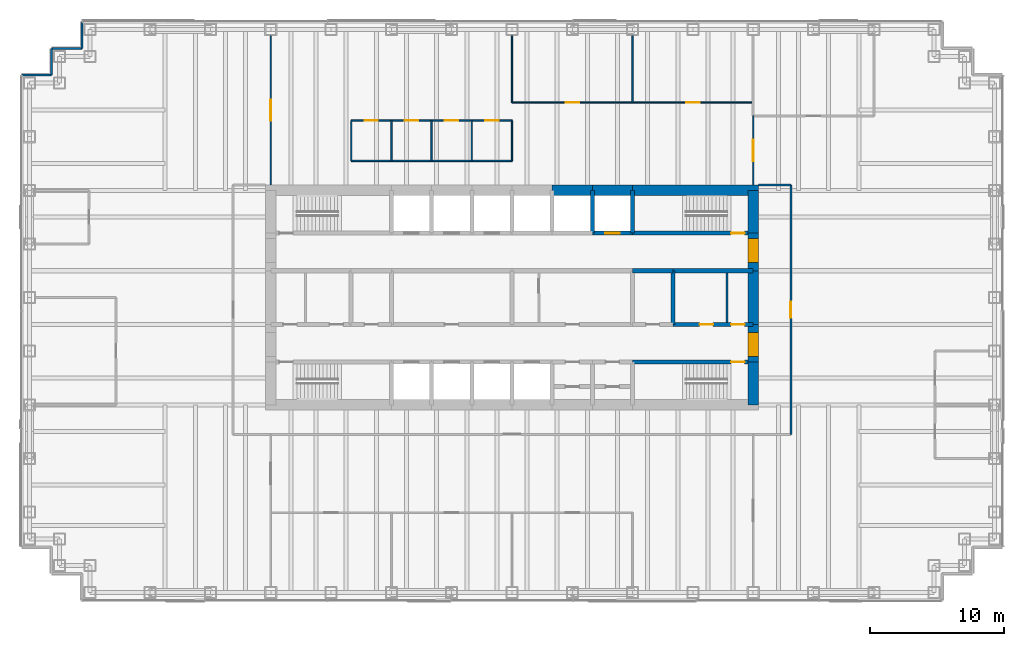
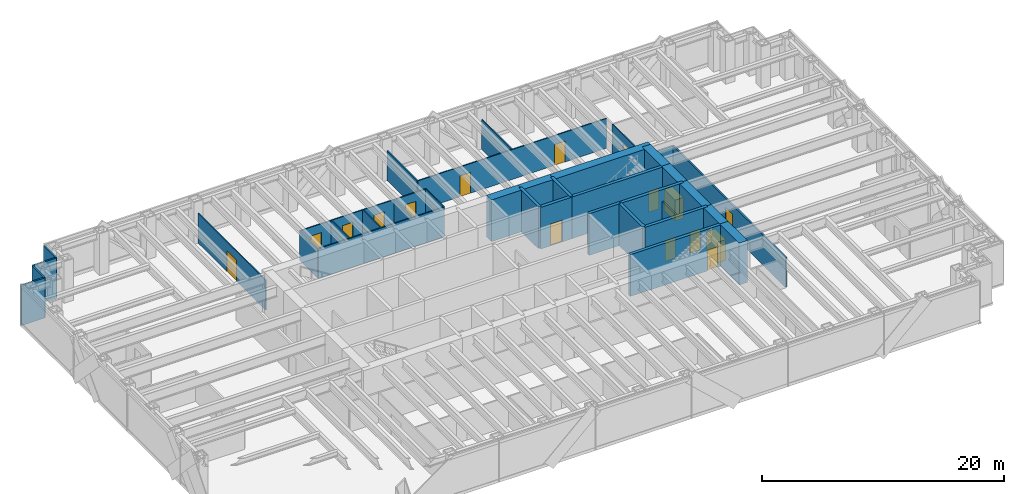
# One storey, part 17 of 19: 36 walls, 16 doors, 16 openings.
"""IFC4 building model written with IfcOpenShell, lengths in metres."""

from ifc_helpers import new_model, si_unit, direction, frame, frame_2d, origin, place, context, subcontext, project, spatial, rectangle, extrude, material, layer, layer_set, type_object, element, fill, save


model = new_model("IFC4")

# Units and contexts
model_context = context("Model", 3, precision=1e-05, world=origin(), true_north=direction((0.0, 1.0)))
body_context = subcontext(model_context, "Body", "Model", "MODEL_VIEW")
ifc_project = project(units=[si_unit("LENGTHUNIT", "METRE"), si_unit("AREAUNIT", "SQUARE_METRE"), si_unit("VOLUMEUNIT", "CUBIC_METRE"), si_unit("PLANEANGLEUNIT", "RADIAN"), si_unit("MASSUNIT", "GRAM", prefix="KILO")], contexts=[model_context])

# Site, building, storey
site_placement = place(None, origin())
site = spatial("IfcSite", under=ifc_project, at=site_placement, CompositionType="ELEMENT")
building_placement = place(site_placement, origin())
building = spatial("IfcBuilding", under=site, at=building_placement, Name="Rheinbord Bourse Tower", CompositionType="ELEMENT")
storey_placement = place(building_placement, frame((0.0, 0.0, 206.800048828125)))
storey = spatial("IfcBuildingStorey", under=building, at=storey_placement, Name="L46", CompositionType="ELEMENT", Elevation=206.800048828125)

# Wall, opening, door
ifc_material_1 = material(Name="Concrete C50/60", Category="concrete")
ifc_layer_1 = layer(ifc_material_1, 0.300048828125)
ifc_layer_set_1 = layer_set([ifc_layer_1], Name="CORE INNER WALL 300")
wall_type_1 = type_object("IfcWallType", Name="CORE INNER WALL 300", PredefinedType="SOLIDWALL", material=ifc_layer_set_1)
wall_1_placement = place(storey_placement, frame((45.0, 19.199951171875, 0.0), z_axis=(0.0, 0.0, 1.0), x_axis=(1.0, 0.0, 0.0)))
wall_1 = element("IfcWall", 1, at=wall_1_placement, inside=storey, type_object=wall_type_1, Name="Core wall A8 L46", PredefinedType="SOLIDWALL", context=body_context, shape_type="SweptSolid", body=[
    extrude(rectangle(XDim=9.0, YDim=0.300048828125, at=frame_2d((4.5, 0.0))), origin(), (0.0, 0.0, 1.0), 4.199951171875),
])
opening_1_placement = place(wall_1_placement, frame((7.35009765625, 0.0, 0.0)))
opening_1 = element("IfcOpeningElement", 2, at=opening_1_placement, cuts=wall_1, Name="Opening 4630", PredefinedType="OPENING", context=body_context, shape_type="SweptSolid", body=[
    extrude(rectangle(XDim=1.0, YDim=2.10009765625, at=frame_2d((0.5, 1.050048828125))), frame((0.0, 0.159912109375, 0.0), z_axis=(0.0, -1.0, 0.0), x_axis=(1.0, 0.0, 0.0)), (0.0, 0.0, 1.0), 0.320068359375),
])
ifc_material_2 = material(Name="Steel door", Category="steel")
door_type_1 = type_object("IfcDoorType", Name="DOOR 1000 EI30", OperationType="SINGLE_SWING_LEFT", PredefinedType="DOOR", material=ifc_material_2)
door_1_placement = place(opening_1_placement, origin())
door_1 = element("IfcDoor", 3, at=door_1_placement, inside=storey, type_object=door_type_1, Name="Stair door ST3 L46", OperationType="SINGLE_SWING_RIGHT", OverallHeight=2.10009765625, OverallWidth=1.0, PredefinedType="DOOR", context=body_context, shape_type="SweptSolid", body=[
    extrude(rectangle(XDim=1.0, YDim=2.10009765625, at=frame_2d((0.5, 1.050048828125))), frame((0.0, 0.02490234375, 0.0), z_axis=(0.0, -1.0, 0.0), x_axis=(1.0, 0.0, 0.0)), (0.0, 0.0, 1.0), 0.050048828125),
])
fill(opening_1, door_1)

wall_2_placement = place(storey_placement, frame((42.0, 28.800048828125, 0.0), z_axis=(0.0, 0.0, 1.0), x_axis=(1.0, 0.0, 0.0)))
wall_2 = element("IfcWall", 4, at=wall_2_placement, inside=storey, type_object=wall_type_1, Name="Core wall B7 L46", PredefinedType="SOLIDWALL", context=body_context, shape_type="SweptSolid", body=[
    extrude(rectangle(XDim=3.0, YDim=0.300048828125, at=frame_2d((1.5, 0.0))), origin(), (0.0, 0.0, 1.0), 4.199951171875),
])
opening_2_placement = place(wall_2_placement, frame((0.949951171875, 0.0, 0.0)))
opening_2 = element("IfcOpeningElement", 5, at=opening_2_placement, cuts=wall_2, Name="Opening FL2", PredefinedType="OPENING", context=body_context, shape_type="SweptSolid", body=[
    extrude(rectangle(XDim=1.10009765625, YDim=2.199951171875, at=frame_2d((0.550048828125, 1.10009765625))), frame((0.0, 0.159912109375, 0.0), z_axis=(0.0, -1.0, 0.0), x_axis=(1.0, 0.0, 0.0)), (0.0, 0.0, 1.0), 0.320068359375),
])
ifc_material_3 = material(Name="Steel landing door", Category="steel")
door_type_2 = type_object("IfcDoorType", Name="LIFT LANDING DOOR 1100", OperationType="DOUBLE_DOOR_SLIDING", PredefinedType="USERDEFINED", material=ifc_material_3)
door_2_placement = place(opening_2_placement, origin())
door_2 = element("IfcDoor", 6, at=door_2_placement, inside=storey, type_object=door_type_2, Name="Lift landing door FL2 L46", ObjectType="LIFT LANDING DOOR", OperationType="DOUBLE_DOOR_SLIDING", OverallHeight=2.199951171875, OverallWidth=1.10009765625, PredefinedType="USERDEFINED", context=body_context, shape_type="SweptSolid", body=[
    extrude(rectangle(XDim=1.10009765625, YDim=2.199951171875, at=frame_2d((0.550048828125, 1.10009765625))), frame((0.0, 0.02490234375, 0.0), z_axis=(0.0, -1.0, 0.0), x_axis=(1.0, 0.0, 0.0)), (0.0, 0.0, 1.0), 0.050048828125),
])
fill(opening_2, door_2)

wall_3_placement = place(storey_placement, frame((45.0, 28.800048828125, 0.0), z_axis=(0.0, 0.0, 1.0), x_axis=(1.0, 0.0, 0.0)))
wall_3 = element("IfcWall", 7, at=wall_3_placement, inside=storey, type_object=wall_type_1, Name="Core wall B8 L46", PredefinedType="SOLIDWALL", context=body_context, shape_type="SweptSolid", body=[
    extrude(rectangle(XDim=9.0, YDim=0.300048828125, at=frame_2d((4.5, 0.0))), origin(), (0.0, 0.0, 1.0), 4.199951171875),
])
opening_3_placement = place(wall_3_placement, frame((7.35009765625, 0.0, 0.0)))
opening_3 = element("IfcOpeningElement", 8, at=opening_3_placement, cuts=wall_3, Name="Opening 4640", PredefinedType="OPENING", context=body_context, shape_type="SweptSolid", body=[
    extrude(rectangle(XDim=1.0, YDim=2.10009765625, at=frame_2d((0.5, 1.050048828125))), frame((0.0, 0.159912109375, 0.0), z_axis=(0.0, -1.0, 0.0), x_axis=(1.0, 0.0, 0.0)), (0.0, 0.0, 1.0), 0.320068359375),
])
door_3_placement = place(opening_3_placement, origin())
door_3 = element("IfcDoor", 9, at=door_3_placement, inside=storey, type_object=door_type_1, Name="Stair door ST4 L46", OperationType="SINGLE_SWING_RIGHT", OverallHeight=2.10009765625, OverallWidth=1.0, PredefinedType="DOOR", context=body_context, shape_type="SweptSolid", body=[
    extrude(rectangle(XDim=1.0, YDim=2.10009765625, at=frame_2d((0.5, 1.050048828125))), frame((0.0, 0.02490234375, 0.0), z_axis=(0.0, -1.0, 0.0), x_axis=(1.0, 0.0, 0.0)), (0.0, 0.0, 1.0), 0.050048828125),
])
fill(opening_3, door_3)

# Wall, openings, doors
wall_4_placement = place(storey_placement, frame((48.0, 22.0, 0.0), z_axis=(0.0, 0.0, 1.0), x_axis=(1.0, 0.0, 0.0)))
wall_4 = element("IfcWall", 10, at=wall_4_placement, inside=storey, type_object=wall_type_1, Name="Core wall C6 L46", PredefinedType="SOLIDWALL", context=body_context, shape_type="SweptSolid", body=[
    extrude(rectangle(XDim=6.0, YDim=0.300048828125, at=frame_2d((3.0, 0.0))), origin(), (0.0, 0.0, 1.0), 4.199951171875),
])
opening_4_placement = place(wall_4_placement, frame((2.0, 0.0, 0.0)))
opening_4 = element("IfcOpeningElement", 11, at=opening_4_placement, cuts=wall_4, Name="Opening 46R6", PredefinedType="OPENING", context=body_context, shape_type="SweptSolid", body=[
    extrude(rectangle(XDim=1.0, YDim=2.10009765625, at=frame_2d((0.5, 1.050048828125))), frame((0.0, 0.159912109375, 0.0), z_axis=(0.0, -1.0, 0.0), x_axis=(1.0, 0.0, 0.0)), (0.0, 0.0, 1.0), 0.320068359375),
])
opening_5_placement = place(wall_4_placement, frame((4.35009765625, 0.0, 0.0)))
opening_5 = element("IfcOpeningElement", 12, at=opening_5_placement, cuts=wall_4, Name="Opening 46R10", PredefinedType="OPENING", context=body_context, shape_type="SweptSolid", body=[
    extrude(rectangle(XDim=1.0, YDim=2.10009765625, at=frame_2d((0.5, 1.050048828125))), frame((0.0, 0.159912109375, 0.0), z_axis=(0.0, -1.0, 0.0), x_axis=(1.0, 0.0, 0.0)), (0.0, 0.0, 1.0), 0.320068359375),
])
door_4_placement = place(opening_5_placement, origin())
door_4 = element("IfcDoor", 13, at=door_4_placement, inside=storey, type_object=door_type_1, Name="Cleaner's store door L46", OperationType="SINGLE_SWING_RIGHT", OverallHeight=2.10009765625, OverallWidth=1.0, PredefinedType="DOOR", context=body_context, shape_type="SweptSolid", body=[
    extrude(rectangle(XDim=1.0, YDim=2.10009765625, at=frame_2d((0.5, 1.050048828125))), frame((0.0, 0.02490234375, 0.0), z_axis=(0.0, -1.0, 0.0), x_axis=(1.0, 0.0, 0.0)), (0.0, 0.0, 1.0), 0.050048828125),
])
fill(opening_5, door_4)
ifc_material_4 = material(Name="Timber door", Category="wood")
door_type_3 = type_object("IfcDoorType", Name="DOOR 1000 WC", OperationType="SINGLE_SWING_LEFT", PredefinedType="DOOR", material=ifc_material_4)
door_5_placement = place(opening_4_placement, origin())
door_5 = element("IfcDoor", 14, at=door_5_placement, inside=storey, type_object=door_type_3, Name="WC women door L46", OperationType="SINGLE_SWING_LEFT", OverallHeight=2.10009765625, OverallWidth=1.0, PredefinedType="DOOR", context=body_context, shape_type="SweptSolid", body=[
    extrude(rectangle(XDim=1.0, YDim=2.10009765625, at=frame_2d((0.5, 1.050048828125))), frame((0.0, 0.02490234375, 0.0), z_axis=(0.0, -1.0, 0.0), x_axis=(1.0, 0.0, 0.0)), (0.0, 0.0, 1.0), 0.050048828125),
])
fill(opening_4, door_5)

# Walls
wall_5_placement = place(storey_placement, frame((45.0, 26.0, 0.0), z_axis=(0.0, 0.0, 1.0), x_axis=(1.0, 0.0, 0.0)))
element("IfcWall", 15, at=wall_5_placement, inside=storey, type_object=wall_type_1, Name="Core wall D5 L46", PredefinedType="SOLIDWALL", context=body_context, shape_type="SweptSolid", body=[
    extrude(rectangle(XDim=3.0, YDim=0.300048828125, at=frame_2d((1.5, 0.0))), origin(), (0.0, 0.0, 1.0), 4.199951171875),
])
wall_6_placement = place(storey_placement, frame((48.0, 26.0, 0.0), z_axis=(0.0, 0.0, 1.0), x_axis=(1.0, 0.0, 0.0)))
element("IfcWall", 16, at=wall_6_placement, inside=storey, type_object=wall_type_1, Name="Core wall D6 L46", PredefinedType="SOLIDWALL", context=body_context, shape_type="SweptSolid", body=[
    extrude(rectangle(XDim=6.0, YDim=0.300048828125, at=frame_2d((3.0, 0.0))), origin(), (0.0, 0.0, 1.0), 4.199951171875),
])
for number, where, z_axis, x_axis, name in (
    (17, (42.0, 28.800048828125, 0.0), (0.0, 0.0, 1.0), (0.0, 1.0, 0.0), "Core wall NX42 L46"),
    (18, (45.0, 28.800048828125, 0.0), (0.0, 0.0, 1.0), (0.0, 1.0, 0.0), "Core wall NX45 L46"),
):
    element("IfcWall", number, at=place(storey_placement, frame(where, z_axis=z_axis, x_axis=x_axis)), inside=storey, type_object=wall_type_1, Name=name, PredefinedType="SOLIDWALL", context=body_context, shape_type="SweptSolid", body=[
        extrude(rectangle(XDim=3.199951171875, YDim=0.300048828125, at=frame_2d((1.60009765625, 0.0))), origin(), (0.0, 0.0, 1.0), 4.199951171875),
    ])
wall_7_placement = place(storey_placement, frame((48.0, 22.0, 0.0), z_axis=(0.0, 0.0, 1.0), x_axis=(0.0, 1.0, 0.0)))
element("IfcWall", 19, at=wall_7_placement, inside=storey, type_object=wall_type_1, Name="Core wall MX48 L46", PredefinedType="SOLIDWALL", context=body_context, shape_type="SweptSolid", body=[
    extrude(rectangle(XDim=4.0, YDim=0.300048828125, at=frame_2d((2.0, 0.0))), origin(), (0.0, 0.0, 1.0), 4.199951171875),
])
ifc_material_5 = material(Name="Gypsum board fire partition", Category="gypsum board")
ifc_layer_2 = layer(ifc_material_5, 0.14990234375)
ifc_layer_set_2 = layer_set([ifc_layer_2], Name="CORE PARTITION 150 EI30")
wall_type_2 = type_object("IfcWallType", Name="CORE PARTITION 150 EI30", PredefinedType="PARTITIONING", material=ifc_layer_set_2)
wall_8_placement = place(storey_placement, frame((52.02490234375, 22.14990234375, 0.0), z_axis=(0.0, 0.0, 1.0), x_axis=(0.0, 1.0, 0.0)))
element("IfcWall", 20, at=wall_8_placement, inside=storey, type_object=wall_type_2, Name="Core partition L46-3", PredefinedType="PARTITIONING", context=body_context, shape_type="SweptSolid", body=[
    extrude(rectangle(XDim=3.7001953125, YDim=0.14990234375, at=frame_2d((1.85009765625, 0.0))), origin(), (0.0, 0.0, 1.0), 3.0),
])
ifc_material_6 = material(Name="Concrete C50/60", Category="concrete")
ifc_layer_3 = layer(ifc_material_6, 0.800048828125)
ifc_layer_set_3 = layer_set([ifc_layer_3], Name="CORE WALL 800")
wall_type_3 = type_object("IfcWallType", Name="CORE WALL 800", PredefinedType="SHEAR", material=ifc_layer_set_3)
wall_9_placement = place(storey_placement, frame((54.39990234375, 32.0, 0.0), z_axis=(0.0, 0.0, 1.0), x_axis=(-1.0, 0.0, 0.0)))
element("IfcWall", 21, at=wall_9_placement, inside=storey, type_object=wall_type_3, Name="Core wall N1 L46", PredefinedType="SHEAR", context=body_context, shape_type="SweptSolid", body=[
    extrude(rectangle(XDim=9.39990234375, YDim=0.800048828125, at=frame_2d((4.699951171875, 0.0))), origin(), (0.0, 0.0, 1.0), 4.199951171875),
])
for number, where, z_axis, x_axis, name in (
    (22, (45.0, 32.0, 0.0), (0.0, 0.0, 1.0), (-1.0, 0.0, 0.0), "Core wall N2 L46"),
    (23, (42.0, 32.0, 0.0), (0.0, 0.0, 1.0), (-1.0, 0.0, 0.0), "Core wall N3 L46"),
):
    element("IfcWall", number, at=place(storey_placement, frame(where, z_axis=z_axis, x_axis=x_axis)), inside=storey, type_object=wall_type_3, Name=name, PredefinedType="SHEAR", context=body_context, shape_type="SweptSolid", body=[
        extrude(rectangle(XDim=3.0, YDim=0.800048828125, at=frame_2d((1.5, 0.0))), origin(), (0.0, 0.0, 1.0), 4.199951171875),
    ])
wall_10_placement = place(storey_placement, frame((54.0, 16.0, 0.0), z_axis=(0.0, 0.0, 1.0), x_axis=(0.0, 1.0, 0.0)))
element("IfcWall", 24, at=wall_10_placement, inside=storey, type_object=wall_type_3, Name="Core wall E1 L46", PredefinedType="SHEAR", context=body_context, shape_type="SweptSolid", body=[
    extrude(rectangle(XDim=3.199951171875, YDim=0.800048828125, at=frame_2d((1.60009765625, 0.0))), origin(), (0.0, 0.0, 1.0), 4.199951171875),
])

# Wall, opening, door
wall_11_placement = place(storey_placement, frame((54.0, 19.199951171875, 0.0), z_axis=(0.0, 0.0, 1.0), x_axis=(0.0, 1.0, 0.0)))
wall_11 = element("IfcWall", 25, at=wall_11_placement, inside=storey, type_object=wall_type_3, Name="Core wall E2 L46", PredefinedType="SHEAR", context=body_context, shape_type="SweptSolid", body=[
    extrude(rectangle(XDim=2.800048828125, YDim=0.800048828125, at=frame_2d((1.39990234375, 0.0))), origin(), (0.0, 0.0, 1.0), 4.199951171875),
])
opening_6_placement = place(wall_11_placement, frame((0.39990234375, 0.0, 0.0)))
opening_6 = element("IfcOpeningElement", 26, at=opening_6_placement, cuts=wall_11, Name="Opening 46L3", PredefinedType="OPENING", context=body_context, shape_type="SweptSolid", body=[
    extrude(rectangle(XDim=1.800048828125, YDim=2.10009765625, at=frame_2d((0.89990234375, 1.050048828125))), frame((0.0, 0.409912109375, 0.0), z_axis=(0.0, -1.0, 0.0), x_axis=(1.0, 0.0, 0.0)), (0.0, 0.0, 1.0), 0.820068359375),
])
ifc_material_7 = material(Name="Steel door", Category="steel")
door_type_4 = type_object("IfcDoorType", Name="DOOR 1800 EI30 DOUBLE", OperationType="DOUBLE_DOOR_DOUBLE_SWING", PredefinedType="DOOR", material=ifc_material_7)
door_6_placement = place(opening_6_placement, origin())
door_6 = element("IfcDoor", 27, at=door_6_placement, inside=storey, type_object=door_type_4, Name="Lobby door 3 L46", OperationType="SINGLE_SWING_LEFT", OverallHeight=2.10009765625, OverallWidth=1.800048828125, PredefinedType="DOOR", context=body_context, shape_type="SweptSolid", body=[
    extrude(rectangle(XDim=1.800048828125, YDim=2.10009765625, at=frame_2d((0.89990234375, 1.050048828125))), frame((0.0, 0.39990234375, 0.0), z_axis=(0.0, -1.0, 0.0), x_axis=(1.0, 0.0, 0.0)), (0.0, 0.0, 1.0), 0.799560546875),
])
fill(opening_6, door_6)

# Wall
wall_12_placement = place(storey_placement, frame((54.0, 22.0, 0.0), z_axis=(0.0, 0.0, 1.0), x_axis=(0.0, 1.0, 0.0)))
element("IfcWall", 28, at=wall_12_placement, inside=storey, type_object=wall_type_3, Name="Core wall E3 L46", PredefinedType="SHEAR", context=body_context, shape_type="SweptSolid", body=[
    extrude(rectangle(XDim=4.0, YDim=0.800048828125, at=frame_2d((2.0, 0.0))), origin(), (0.0, 0.0, 1.0), 4.199951171875),
])

# Wall, opening, door
wall_13_placement = place(storey_placement, frame((54.0, 26.0, 0.0), z_axis=(0.0, 0.0, 1.0), x_axis=(0.0, 1.0, 0.0)))
wall_13 = element("IfcWall", 29, at=wall_13_placement, inside=storey, type_object=wall_type_3, Name="Core wall E4 L46", PredefinedType="SHEAR", context=body_context, shape_type="SweptSolid", body=[
    extrude(rectangle(XDim=2.800048828125, YDim=0.800048828125, at=frame_2d((1.39990234375, 0.0))), origin(), (0.0, 0.0, 1.0), 4.199951171875),
])
opening_7_placement = place(wall_13_placement, frame((0.60009765625, 0.0, 0.0)))
opening_7 = element("IfcOpeningElement", 30, at=opening_7_placement, cuts=wall_13, Name="Opening 46L4", PredefinedType="OPENING", context=body_context, shape_type="SweptSolid", body=[
    extrude(rectangle(XDim=1.800048828125, YDim=2.10009765625, at=frame_2d((0.89990234375, 1.050048828125))), frame((0.0, 0.409912109375, 0.0), z_axis=(0.0, -1.0, 0.0), x_axis=(1.0, 0.0, 0.0)), (0.0, 0.0, 1.0), 0.820068359375),
])
door_7_placement = place(opening_7_placement, origin())
door_7 = element("IfcDoor", 31, at=door_7_placement, inside=storey, type_object=door_type_4, Name="Lobby door 4 L46", OperationType="SINGLE_SWING_LEFT", OverallHeight=2.10009765625, OverallWidth=1.800048828125, PredefinedType="DOOR", context=body_context, shape_type="SweptSolid", body=[
    extrude(rectangle(XDim=1.800048828125, YDim=2.10009765625, at=frame_2d((0.89990234375, 1.050048828125))), frame((0.0, 0.39990234375, 0.0), z_axis=(0.0, -1.0, 0.0), x_axis=(1.0, 0.0, 0.0)), (0.0, 0.0, 1.0), 0.799560546875),
])
fill(opening_7, door_7)

# Walls
wall_14_placement = place(storey_placement, frame((54.0, 28.800048828125, 0.0), z_axis=(0.0, 0.0, 1.0), x_axis=(0.0, 1.0, 0.0)))
element("IfcWall", 32, at=wall_14_placement, inside=storey, type_object=wall_type_3, Name="Core wall E5 L46", PredefinedType="SHEAR", context=body_context, shape_type="SweptSolid", body=[
    extrude(rectangle(XDim=3.199951171875, YDim=0.800048828125, at=frame_2d((1.60009765625, 0.0))), origin(), (0.0, 0.0, 1.0), 4.199951171875),
])
ifc_material_8 = material(Name="Black metal rainscreen panel", Category="aluminium")
ifc_layer_4 = layer(ifc_material_8, 0.14990234375)
ifc_layer_set_4 = layer_set([ifc_layer_4], Name="CORNER PIER CLADDING 150")
wall_type_4 = type_object("IfcWallType", Name="CORNER PIER CLADDING 150", PredefinedType="ELEMENTEDWALL", material=ifc_layer_set_4)
wall_15_placement = place(storey_placement, frame((3.89990234375, 44.60009765625, 0.0), z_axis=(0.0, 0.0, 1.0), x_axis=(0.0, -1.0, 0.0)))
element("IfcWall", 33, at=wall_15_placement, inside=storey, type_object=wall_type_4, Name="Corner pier cladding L46 12", PredefinedType="ELEMENTEDWALL", context=body_context, shape_type="SweptSolid", body=[
    extrude(rectangle(XDim=2.0, YDim=0.14990234375, at=frame_2d((1.0, 0.0))), origin(), (0.0, 0.0, 1.0), 4.0400390625),
])
wall_16_placement = place(storey_placement, frame((3.89990234375, 42.60009765625, 0.0), z_axis=(0.0, 0.0, 1.0), x_axis=(-1.0, 0.0, 0.0)))
element("IfcWall", 34, at=wall_16_placement, inside=storey, type_object=wall_type_4, Name="Corner pier cladding L46 13", PredefinedType="ELEMENTEDWALL", context=body_context, shape_type="SweptSolid", body=[
    extrude(rectangle(XDim=2.25, YDim=0.14990234375, at=frame_2d((1.125, 0.0))), origin(), (0.0, 0.0, 1.0), 4.0400390625),
])
wall_17_placement = place(storey_placement, frame((1.64990234375, 42.60009765625, 0.0), z_axis=(0.0, 0.0, 1.0), x_axis=(0.0, -1.0, 0.0)))
element("IfcWall", 35, at=wall_17_placement, inside=storey, type_object=wall_type_4, Name="Corner pier cladding L46 14", PredefinedType="ELEMENTEDWALL", context=body_context, shape_type="SweptSolid", body=[
    extrude(rectangle(XDim=2.0, YDim=0.14990234375, at=frame_2d((1.0, 0.0))), origin(), (0.0, 0.0, 1.0), 4.0400390625),
])
wall_18_placement = place(storey_placement, frame((1.64990234375, 40.60009765625, 0.0), z_axis=(0.0, 0.0, 1.0), x_axis=(-1.0, 0.0, 0.0)))
element("IfcWall", 36, at=wall_18_placement, inside=storey, type_object=wall_type_4, Name="Corner pier cladding L46 15", PredefinedType="ELEMENTEDWALL", context=body_context, shape_type="SweptSolid", body=[
    extrude(rectangle(XDim=2.25, YDim=0.14990234375, at=frame_2d((1.125, 0.0))), origin(), (0.0, 0.0, 1.0), 4.0400390625),
])
ifc_material_9 = material(Name="Gypsum board corridor partition", Category="gypsum board")
ifc_layer_5 = layer(ifc_material_9, 0.14990234375)
ifc_layer_set_5 = layer_set([ifc_layer_5], Name="CORRIDOR PARTITION 150 EI30")
wall_type_5 = type_object("IfcWallType", Name="CORRIDOR PARTITION 150 EI30", PredefinedType="PARTITIONING", material=ifc_layer_set_5)
wall_19_placement = place(storey_placement, frame((54.39990234375, 32.39990234375, 0.0), z_axis=(0.0, 0.0, 1.0), x_axis=(1.0, 0.0, 0.0)))
element("IfcWall", 37, at=wall_19_placement, inside=storey, type_object=wall_type_5, Name="Partition L46-11", PredefinedType="PARTITIONING", context=body_context, shape_type="SweptSolid", body=[
    extrude(rectangle(XDim=2.400146484375, YDim=0.14990234375, at=frame_2d((1.2001953125, 0.0))), origin(), (0.0, 0.0, 1.0), 3.0),
])

# Wall, opening, door
wall_20_placement = place(storey_placement, frame((56.800048828125, 13.800048828125, 0.0), z_axis=(0.0, 0.0, 1.0), x_axis=(0.0, 1.0, 0.0)))
wall_20 = element("IfcWall", 38, at=wall_20_placement, inside=storey, type_object=wall_type_5, Name="Partition L46-34", PredefinedType="PARTITIONING", context=body_context, shape_type="SweptSolid", body=[
    extrude(rectangle(XDim=18.599853515625, YDim=0.14990234375, at=frame_2d((9.2998046875, 0.0))), origin(), (0.0, 0.0, 1.0), 3.0),
])
opening_8_placement = place(wall_20_placement, frame((8.699951171875, 0.0, 0.0)))
opening_8 = element("IfcOpeningElement", 39, at=opening_8_placement, cuts=wall_20, Name="Opening 46D20", PredefinedType="OPENING", context=body_context, shape_type="SweptSolid", body=[
    extrude(rectangle(XDim=1.199951171875, YDim=2.10009765625, at=frame_2d((0.60009765625, 1.050048828125))), frame((0.0, 0.0849609375, 0.0), z_axis=(0.0, -1.0, 0.0), x_axis=(1.0, 0.0, 0.0)), (0.0, 0.0, 1.0), 0.169921875),
])
ifc_material_10 = material(Name="Timber fire door", Category="wood")
door_type_5 = type_object("IfcDoorType", Name="SUITE ENTRANCE DOOR 1200 EI30", OperationType="SINGLE_SWING_LEFT", PredefinedType="DOOR", material=ifc_material_10)
door_8_placement = place(opening_8_placement, origin())
door_8 = element("IfcDoor", 40, at=door_8_placement, inside=storey, type_object=door_type_5, Name="Suite entrance 2 door L46", OperationType="SINGLE_SWING_LEFT", OverallHeight=2.10009765625, OverallWidth=1.199951171875, PredefinedType="DOOR", context=body_context, shape_type="SweptSolid", body=[
    extrude(rectangle(XDim=1.199951171875, YDim=2.10009765625, at=frame_2d((0.60009765625, 1.050048828125))), frame((0.0, 0.02490234375, 0.0), z_axis=(0.0, -1.0, 0.0), x_axis=(1.0, 0.0, 0.0)), (0.0, 0.0, 1.0), 0.050048828125),
])
fill(opening_8, door_8)

# Wall
ifc_material_11 = material(Name="Toughened laminated glass partition", Category="glass")
ifc_layer_6 = layer(ifc_material_11, 0.10009765625)
ifc_layer_set_6 = layer_set([ifc_layer_6], Name="GLAZED PARTITION 100")
wall_type_6 = type_object("IfcWallType", Name="GLAZED PARTITION 100", PredefinedType="PARTITIONING", material=ifc_layer_set_6)
wall_21_placement = place(storey_placement, frame((24.0, 34.199951171875, 0.0), z_axis=(0.0, 0.0, 1.0), x_axis=(1.0, 0.0, 0.0)))
element("IfcWall", 41, at=wall_21_placement, inside=storey, type_object=wall_type_6, Name="Partition L46-12", PredefinedType="PARTITIONING", context=body_context, shape_type="SweptSolid", body=[
    extrude(rectangle(XDim=12.0, YDim=0.10009765625, at=frame_2d((6.0, 0.0))), origin(), (0.0, 0.0, 1.0), 3.0),
])

# Wall, openings, doors
wall_22_placement = place(storey_placement, frame((24.0, 37.199951171875, 0.0), z_axis=(0.0, 0.0, 1.0), x_axis=(1.0, 0.0, 0.0)))
wall_22 = element("IfcWall", 42, at=wall_22_placement, inside=storey, type_object=wall_type_6, Name="Partition L46-13", PredefinedType="PARTITIONING", context=body_context, shape_type="SweptSolid", body=[
    extrude(rectangle(XDim=12.0, YDim=0.10009765625, at=frame_2d((6.0, 0.0))), origin(), (0.0, 0.0, 1.0), 3.0),
])
opening_9_placement = place(wall_22_placement, frame((1.0, 0.0, 0.0)))
opening_9 = element("IfcOpeningElement", 43, at=opening_9_placement, cuts=wall_22, Name="Opening 46D08", PredefinedType="OPENING", context=body_context, shape_type="SweptSolid", body=[
    extrude(rectangle(XDim=1.0, YDim=2.10009765625, at=frame_2d((0.5, 1.050048828125))), frame((0.0, 0.06005859375, 0.0), z_axis=(0.0, -1.0, 0.0), x_axis=(1.0, 0.0, 0.0)), (0.0, 0.0, 1.0), 0.1201171875),
])
opening_10_placement = place(wall_22_placement, frame((4.0, 0.0, 0.0)))
opening_10 = element("IfcOpeningElement", 44, at=opening_10_placement, cuts=wall_22, Name="Opening 46D09", PredefinedType="OPENING", context=body_context, shape_type="SweptSolid", body=[
    extrude(rectangle(XDim=1.0, YDim=2.10009765625, at=frame_2d((0.5, 1.050048828125))), frame((0.0, 0.06005859375, 0.0), z_axis=(0.0, -1.0, 0.0), x_axis=(1.0, 0.0, 0.0)), (0.0, 0.0, 1.0), 0.1201171875),
])
opening_11_placement = place(wall_22_placement, frame((7.0, 0.0, 0.0)))
opening_11 = element("IfcOpeningElement", 45, at=opening_11_placement, cuts=wall_22, Name="Opening 46D10", PredefinedType="OPENING", context=body_context, shape_type="SweptSolid", body=[
    extrude(rectangle(XDim=1.0, YDim=2.10009765625, at=frame_2d((0.5, 1.050048828125))), frame((0.0, 0.06005859375, 0.0), z_axis=(0.0, -1.0, 0.0), x_axis=(1.0, 0.0, 0.0)), (0.0, 0.0, 1.0), 0.1201171875),
])
opening_12_placement = place(wall_22_placement, frame((10.0, 0.0, 0.0)))
opening_12 = element("IfcOpeningElement", 46, at=opening_12_placement, cuts=wall_22, Name="Opening 46D11", PredefinedType="OPENING", context=body_context, shape_type="SweptSolid", body=[
    extrude(rectangle(XDim=1.0, YDim=2.10009765625, at=frame_2d((0.5, 1.050048828125))), frame((0.0, 0.06005859375, 0.0), z_axis=(0.0, -1.0, 0.0), x_axis=(1.0, 0.0, 0.0)), (0.0, 0.0, 1.0), 0.1201171875),
])
ifc_material_12 = material(Name="Timber door", Category="wood")
door_type_6 = type_object("IfcDoorType", Name="ROOM DOOR 1000", OperationType="SINGLE_SWING_LEFT", PredefinedType="DOOR", material=ifc_material_12)
door_9_placement = place(opening_9_placement, origin())
door_9 = element("IfcDoor", 47, at=door_9_placement, inside=storey, type_object=door_type_6, Name="Quiet room door L46", OperationType="SINGLE_SWING_LEFT", OverallHeight=2.10009765625, OverallWidth=1.0, PredefinedType="DOOR", context=body_context, shape_type="SweptSolid", body=[
    extrude(rectangle(XDim=1.0, YDim=2.10009765625, at=frame_2d((0.5, 1.050048828125))), frame((0.0, 0.02490234375, 0.0), z_axis=(0.0, -1.0, 0.0), x_axis=(1.0, 0.0, 0.0)), (0.0, 0.0, 1.0), 0.050048828125),
])
fill(opening_9, door_9)
door_10_placement = place(opening_10_placement, origin())
door_10 = element("IfcDoor", 48, at=door_10_placement, inside=storey, type_object=door_type_6, Name="Quiet room door L46", OperationType="SINGLE_SWING_LEFT", OverallHeight=2.10009765625, OverallWidth=1.0, PredefinedType="DOOR", context=body_context, shape_type="SweptSolid", body=[
    extrude(rectangle(XDim=1.0, YDim=2.10009765625, at=frame_2d((0.5, 1.050048828125))), frame((0.0, 0.02490234375, 0.0), z_axis=(0.0, -1.0, 0.0), x_axis=(1.0, 0.0, 0.0)), (0.0, 0.0, 1.0), 0.050048828125),
])
fill(opening_10, door_10)
door_11_placement = place(opening_11_placement, origin())
door_11 = element("IfcDoor", 49, at=door_11_placement, inside=storey, type_object=door_type_6, Name="Quiet room door L46", OperationType="SINGLE_SWING_RIGHT", OverallHeight=2.10009765625, OverallWidth=1.0, PredefinedType="DOOR", context=body_context, shape_type="SweptSolid", body=[
    extrude(rectangle(XDim=1.0, YDim=2.10009765625, at=frame_2d((0.5, 1.050048828125))), frame((0.0, 0.02490234375, 0.0), z_axis=(0.0, -1.0, 0.0), x_axis=(1.0, 0.0, 0.0)), (0.0, 0.0, 1.0), 0.050048828125),
])
fill(opening_11, door_11)
door_12_placement = place(opening_12_placement, origin())
door_12 = element("IfcDoor", 50, at=door_12_placement, inside=storey, type_object=door_type_6, Name="Quiet room door L46", OperationType="SINGLE_SWING_RIGHT", OverallHeight=2.10009765625, OverallWidth=1.0, PredefinedType="DOOR", context=body_context, shape_type="SweptSolid", body=[
    extrude(rectangle(XDim=1.0, YDim=2.10009765625, at=frame_2d((0.5, 1.050048828125))), frame((0.0, 0.02490234375, 0.0), z_axis=(0.0, -1.0, 0.0), x_axis=(1.0, 0.0, 0.0)), (0.0, 0.0, 1.0), 0.050048828125),
])
fill(opening_12, door_12)

wall_23_placement = place(storey_placement, frame((36.0, 38.550048828125, 0.0), z_axis=(0.0, 0.0, 1.0), x_axis=(1.0, 0.0, 0.0)))
wall_23 = element("IfcWall", 51, at=wall_23_placement, inside=storey, type_object=wall_type_6, Name="Partition L46-15", PredefinedType="PARTITIONING", context=body_context, shape_type="SweptSolid", body=[
    extrude(rectangle(XDim=18.0, YDim=0.10009765625, at=frame_2d((9.0, 0.0))), origin(), (0.0, 0.0, 1.0), 3.0),
])
opening_13_placement = place(wall_23_placement, frame((4.0, 0.0, 0.0)))
opening_13 = element("IfcOpeningElement", 52, at=opening_13_placement, cuts=wall_23, Name="Opening 46D13", PredefinedType="OPENING", context=body_context, shape_type="SweptSolid", body=[
    extrude(rectangle(XDim=1.0, YDim=2.10009765625, at=frame_2d((0.5, 1.050048828125))), frame((0.0, 0.06005859375, 0.0), z_axis=(0.0, -1.0, 0.0), x_axis=(1.0, 0.0, 0.0)), (0.0, 0.0, 1.0), 0.1201171875),
])
opening_14_placement = place(wall_23_placement, frame((13.0, 0.0, 0.0)))
opening_14 = element("IfcOpeningElement", 53, at=opening_14_placement, cuts=wall_23, Name="Opening 46D14", PredefinedType="OPENING", context=body_context, shape_type="SweptSolid", body=[
    extrude(rectangle(XDim=1.0, YDim=2.10009765625, at=frame_2d((0.5, 1.050048828125))), frame((0.0, 0.06005859375, 0.0), z_axis=(0.0, -1.0, 0.0), x_axis=(1.0, 0.0, 0.0)), (0.0, 0.0, 1.0), 0.1201171875),
])
door_13_placement = place(opening_13_placement, origin())
door_13 = element("IfcDoor", 54, at=door_13_placement, inside=storey, type_object=door_type_6, Name="Meeting room door L46", OperationType="SINGLE_SWING_LEFT", OverallHeight=2.10009765625, OverallWidth=1.0, PredefinedType="DOOR", context=body_context, shape_type="SweptSolid", body=[
    extrude(rectangle(XDim=1.0, YDim=2.10009765625, at=frame_2d((0.5, 1.050048828125))), frame((0.0, 0.02490234375, 0.0), z_axis=(0.0, -1.0, 0.0), x_axis=(1.0, 0.0, 0.0)), (0.0, 0.0, 1.0), 0.050048828125),
])
fill(opening_13, door_13)
door_14_placement = place(opening_14_placement, origin())
door_14 = element("IfcDoor", 55, at=door_14_placement, inside=storey, type_object=door_type_6, Name="Meeting room door L46", OperationType="SINGLE_SWING_RIGHT", OverallHeight=2.10009765625, OverallWidth=1.0, PredefinedType="DOOR", context=body_context, shape_type="SweptSolid", body=[
    extrude(rectangle(XDim=1.0, YDim=2.10009765625, at=frame_2d((0.5, 1.050048828125))), frame((0.0, 0.02490234375, 0.0), z_axis=(0.0, -1.0, 0.0), x_axis=(1.0, 0.0, 0.0)), (0.0, 0.0, 1.0), 0.050048828125),
])
fill(opening_14, door_14)

# Wall, opening, door
wall_24_placement = place(storey_placement, frame((18.0, 32.39990234375, 0.0), z_axis=(0.0, 0.0, 1.0), x_axis=(0.0, 1.0, 0.0)))
wall_24 = element("IfcWall", 56, at=wall_24_placement, inside=storey, type_object=wall_type_6, Name="Partition L46-20", PredefinedType="PARTITIONING", context=body_context, shape_type="SweptSolid", body=[
    extrude(rectangle(XDim=11.150146484375, YDim=0.10009765625, at=frame_2d((5.5751953125, 0.0))), origin(), (0.0, 0.0, 1.0), 3.0),
])
opening_15_placement = place(wall_24_placement, frame((4.77490234375, 0.0, 0.0)))
opening_15 = element("IfcOpeningElement", 57, at=opening_15_placement, cuts=wall_24, Name="Opening 46D16", PredefinedType="OPENING", context=body_context, shape_type="SweptSolid", body=[
    extrude(rectangle(XDim=1.60009765625, YDim=2.10009765625, at=frame_2d((0.800048828125, 1.050048828125))), frame((0.0, 0.06005859375, 0.0), z_axis=(0.0, -1.0, 0.0), x_axis=(1.0, 0.0, 0.0)), (0.0, 0.0, 1.0), 0.1201171875),
])
ifc_material_13 = material(Name="Timber door", Category="wood")
door_type_7 = type_object("IfcDoorType", Name="DOUBLE ROOM DOOR 1600", OperationType="DOUBLE_DOOR_DOUBLE_SWING", PredefinedType="DOOR", material=ifc_material_13)
door_15_placement = place(opening_15_placement, origin())
door_15 = element("IfcDoor", 58, at=door_15_placement, inside=storey, type_object=door_type_7, Name="Open area door L46", OperationType="SINGLE_SWING_LEFT", OverallHeight=2.10009765625, OverallWidth=1.60009765625, PredefinedType="DOOR", context=body_context, shape_type="SweptSolid", body=[
    extrude(rectangle(XDim=1.60009765625, YDim=2.10009765625, at=frame_2d((0.800048828125, 1.050048828125))), frame((0.0, 0.02490234375, 0.0), z_axis=(0.0, -1.0, 0.0), x_axis=(1.0, 0.0, 0.0)), (0.0, 0.0, 1.0), 0.050048828125),
])
fill(opening_15, door_15)

# Walls
for number, where, z_axis, x_axis, name in (
    (59, (24.0, 34.199951171875, 0.0), (0.0, 0.0, 1.0), (0.0, 1.0, 0.0), "Partition L46-21"),
    (60, (27.0, 34.199951171875, 0.0), (0.0, 0.0, 1.0), (0.0, 1.0, 0.0), "Partition L46-23"),
    (61, (30.0, 34.199951171875, 0.0), (0.0, 0.0, 1.0), (0.0, 1.0, 0.0), "Partition L46-24"),
    (62, (33.0, 34.199951171875, 0.0), (0.0, 0.0, 1.0), (0.0, 1.0, 0.0), "Partition L46-25"),
    (63, (36.0, 34.199951171875, 0.0), (0.0, 0.0, 1.0), (0.0, 1.0, 0.0), "Partition L46-27"),
):
    element("IfcWall", number, at=place(storey_placement, frame(where, z_axis=z_axis, x_axis=x_axis)), inside=storey, type_object=wall_type_6, Name=name, PredefinedType="PARTITIONING", context=body_context, shape_type="SweptSolid", body=[
        extrude(rectangle(XDim=3.0, YDim=0.10009765625, at=frame_2d((1.5, 0.0))), origin(), (0.0, 0.0, 1.0), 3.0),
    ])
for number, where, z_axis, x_axis, name in (
    (64, (36.0, 38.550048828125, 0.0), (0.0, 0.0, 1.0), (0.0, 1.0, 0.0), "Partition L46-28"),
    (65, (45.0, 38.550048828125, 0.0), (0.0, 0.0, 1.0), (0.0, 1.0, 0.0), "Partition L46-30"),
):
    element("IfcWall", number, at=place(storey_placement, frame(where, z_axis=z_axis, x_axis=x_axis)), inside=storey, type_object=wall_type_6, Name=name, PredefinedType="PARTITIONING", context=body_context, shape_type="SweptSolid", body=[
        extrude(rectangle(XDim=5.0, YDim=0.10009765625, at=frame_2d((2.5, 0.0))), origin(), (0.0, 0.0, 1.0), 3.0),
    ])

# Wall, opening, door
wall_25_placement = place(storey_placement, frame((54.0, 32.39990234375, 0.0), z_axis=(0.0, 0.0, 1.0), x_axis=(0.0, 1.0, 0.0)))
wall_25 = element("IfcWall", 66, at=wall_25_placement, inside=storey, type_object=wall_type_6, Name="Partition L46-32", PredefinedType="PARTITIONING", context=body_context, shape_type="SweptSolid", body=[
    extrude(rectangle(XDim=5.150146484375, YDim=0.10009765625, at=frame_2d((2.5751953125, 0.0))), origin(), (0.0, 0.0, 1.0), 3.0),
])
opening_16_placement = place(wall_25_placement, frame((1.77490234375, 0.0, 0.0)))
opening_16 = element("IfcOpeningElement", 67, at=opening_16_placement, cuts=wall_25, Name="Opening 46D18", PredefinedType="OPENING", context=body_context, shape_type="SweptSolid", body=[
    extrude(rectangle(XDim=1.60009765625, YDim=2.10009765625, at=frame_2d((0.800048828125, 1.050048828125))), frame((0.0, 0.06005859375, 0.0), z_axis=(0.0, -1.0, 0.0), x_axis=(1.0, 0.0, 0.0)), (0.0, 0.0, 1.0), 0.1201171875),
])
door_16_placement = place(opening_16_placement, origin())
door_16 = element("IfcDoor", 68, at=door_16_placement, inside=storey, type_object=door_type_7, Name="Open area door L46", OperationType="SINGLE_SWING_LEFT", OverallHeight=2.10009765625, OverallWidth=1.60009765625, PredefinedType="DOOR", context=body_context, shape_type="SweptSolid", body=[
    extrude(rectangle(XDim=1.60009765625, YDim=2.10009765625, at=frame_2d((0.800048828125, 1.050048828125))), frame((0.0, 0.02490234375, 0.0), z_axis=(0.0, -1.0, 0.0), x_axis=(1.0, 0.0, 0.0)), (0.0, 0.0, 1.0), 0.050048828125),
])
fill(opening_16, door_16)

save(model, "model.ifc")
